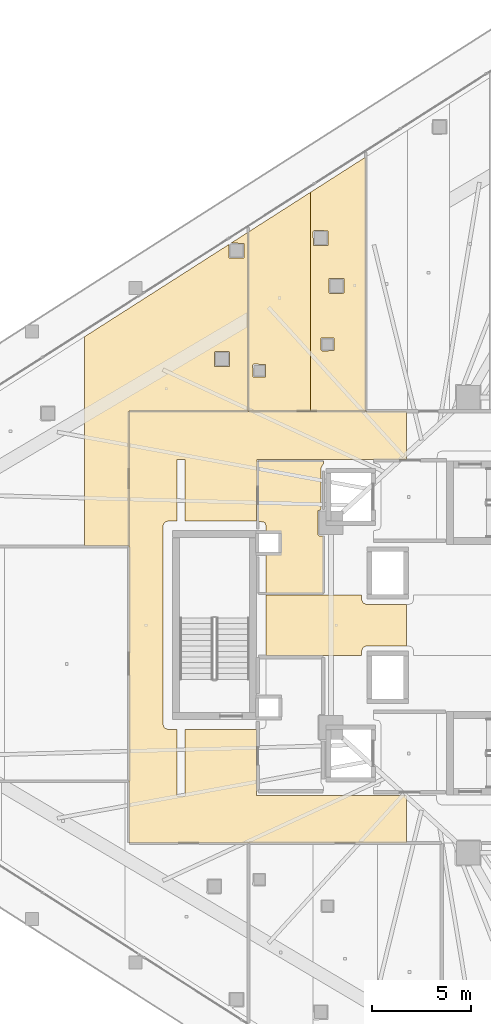
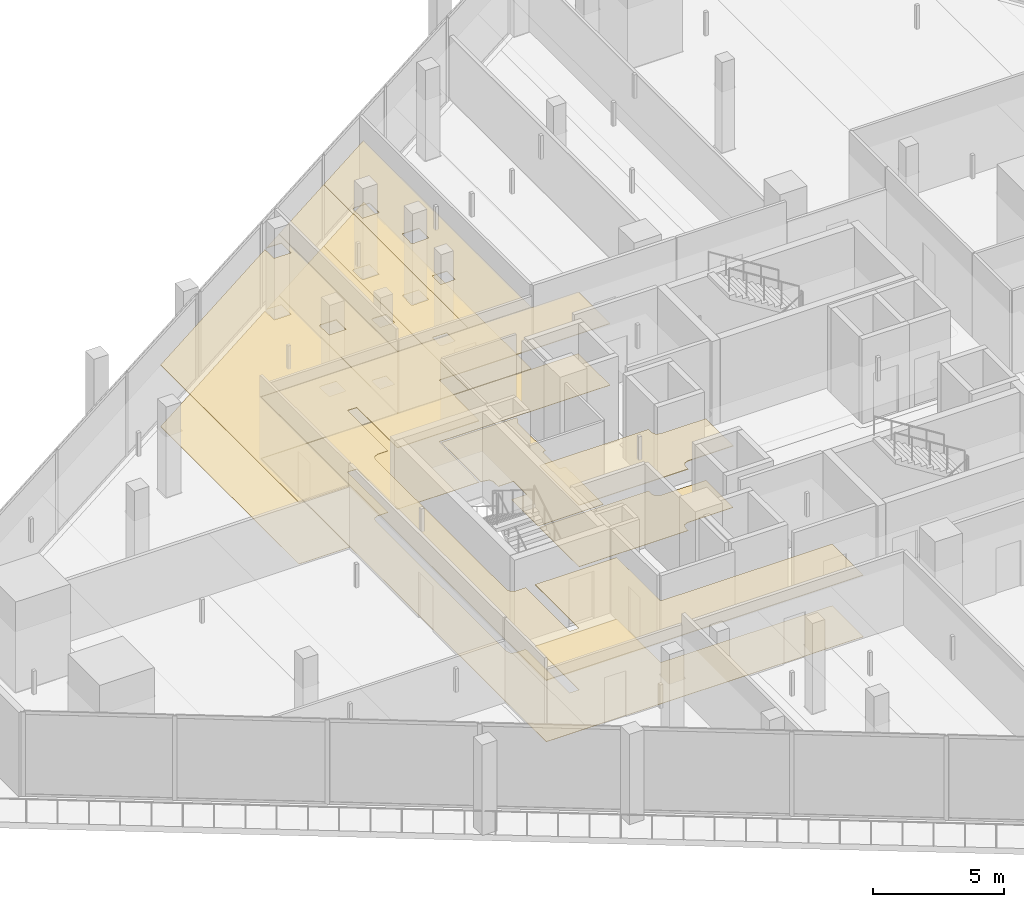
# One storey, part 41 of 44: 11 coverings.
"""IFC4 building model written with IfcOpenShell, lengths in metres."""

import ifcopenshell
import ifcopenshell.guid

model = None  # the IFC model being written
_history = None  # IfcOwnerHistory: only IFC2X3 demands one
_inside = {}  # id of a spatial element -> (the spatial element, [elements in it])
_under = {}  # id of a project, library or spatial element -> (it, [spatial elements below it])
_declared = {}  # id of a project -> (the project, [libraries it declares])
_typed = {}  # id of a type object -> (the type object, [elements of that type])
_made_of = {}  # id of a material, layer set ... -> (it, [elements and type objects made of it])


def new_model(schema):
    """Start an empty IFC model of exactly this schema.

    Asked for "IFC4X3", IfcOpenShell would pick the latest addendum, in which some entities
    have other attributes; the version numbers below select the first issue.
    IFC2X3 requires an IfcOwnerHistory on every rooted entity: one is made here for all.
    """
    global model, _history
    if schema == "IFC4X3":
        model = ifcopenshell.file(schema_version=(4, 3, 0, 0))
    else:
        model = ifcopenshell.file(schema=schema)
    _inside.clear()
    _under.clear()
    _declared.clear()
    _typed.clear()
    _made_of.clear()
    _history = None
    if model.schema == "IFC2X3":
        org = make("IfcOrganization", Name="unknown")
        user = make(
            "IfcPersonAndOrganization",
            ThePerson=make("IfcPerson", FamilyName="unknown"),
            TheOrganization=org,
        )
        app = make(
            "IfcApplication",
            ApplicationDeveloper=org,
            Version="unknown",
            ApplicationFullName="unknown",
            ApplicationIdentifier="unknown",
        )
        _history = make(
            "IfcOwnerHistory",
            OwningUser=user,
            OwningApplication=app,
            ChangeAction="ADDED",
            CreationDate=0,
        )
    return model


def make(cls, **values):
    """One entity of the class cls with the attributes given. An attribute that is None is left unset."""
    return model.create_entity(
        cls, **{name: value for name, value in values.items() if value is not None}
    )


def rooted(cls, **values):
    """An entity with a GlobalId (a new one), such as an element, a storey or a relation."""
    return make(cls, GlobalId=ifcopenshell.guid.new(), OwnerHistory=_history, **values)


def si_unit(unit_type, name, prefix=None):
    """IfcSIUnit, for example si_unit("LENGTHUNIT", "METRE", prefix="MILLI")."""
    return make("IfcSIUnit", UnitType=unit_type, Prefix=prefix, Name=name)


def assignment(units):
    """IfcUnitAssignment: the units of a project."""
    return None if units is None else make("IfcUnitAssignment", Units=units)


def point(xyz):
    """IfcCartesianPoint."""
    return None if xyz is None else make("IfcCartesianPoint", Coordinates=xyz)


def direction(xyz):
    """IfcDirection."""
    return None if xyz is None else make("IfcDirection", DirectionRatios=xyz)


def frame(location, z_axis=None, x_axis=None):
    """IfcAxis2Placement3D, a coordinate frame: its origin and axes. An axis left out is left unset."""
    return make(
        "IfcAxis2Placement3D",
        Location=point(location),
        Axis=direction(z_axis),
        RefDirection=direction(x_axis),
    )


def origin():
    """The frame at (0, 0, 0) with its axes left unset."""
    return frame((0.0, 0.0, 0.0))


def place(relative_to, where):
    """IfcLocalPlacement: puts the frame where relative to a parent placement (None: the world)."""
    return make(
        "IfcLocalPlacement", PlacementRelTo=relative_to, RelativePlacement=where
    )


def context(
    kind, dimensions, precision=None, world=None, true_north=None, identifier=None
):
    """IfcGeometricRepresentationContext, for example the 3D "Model" context."""
    return make(
        "IfcGeometricRepresentationContext",
        ContextIdentifier=identifier,
        ContextType=kind,
        CoordinateSpaceDimension=dimensions,
        Precision=precision,
        WorldCoordinateSystem=world,
        TrueNorth=true_north,
    )


def subcontext(parent, identifier, kind, view, scale=None):
    """IfcGeometricRepresentationSubContext, for example "Body" below "Model"."""
    return make(
        "IfcGeometricRepresentationSubContext",
        ContextIdentifier=identifier,
        ContextType=kind,
        ParentContext=parent,
        TargetScale=scale,
        TargetView=view,
    )


def project(units=None, contexts=None):
    """IfcProject with its units and contexts."""
    return rooted(
        "IfcProject",
        Name="project",
        RepresentationContexts=contexts,
        UnitsInContext=assignment(units),
    )


def spatial(cls, under=None, at=None, **own):
    """A site, building, storey or space (cls), placed at a placement, below another one or the project."""
    s = rooted(cls, ObjectPlacement=at, **own)
    if under is not None:
        _under.setdefault(under.id(), (under, []))[1].append(s)
    return s


def polyline(points):
    """IfcPolyline through the points."""
    return make("IfcPolyline", Points=[point(p) for p in points])


def outline(outer, holes=None, kind="AREA"):
    """IfcArbitraryClosedProfileDef: a profile drawn as a closed curve; with holes, ...WithVoids."""
    if holes is None:
        return make("IfcArbitraryClosedProfileDef", ProfileType=kind, OuterCurve=outer)
    return make(
        "IfcArbitraryProfileDefWithVoids",
        ProfileType=kind,
        OuterCurve=outer,
        InnerCurves=holes,
    )


def extrude(swept, where, along, depth):
    """IfcExtrudedAreaSolid: the profile swept, set in the frame where, extruded along a direction by depth."""
    return make(
        "IfcExtrudedAreaSolid",
        SweptArea=swept,
        Position=where,
        ExtrudedDirection=direction(along),
        Depth=depth,
    )


def shape(context_of_items, identifier, shape_type, items):
    """IfcShapeRepresentation: the items that make up one representation, for example the "Body"."""
    return make(
        "IfcShapeRepresentation",
        ContextOfItems=context_of_items,
        RepresentationIdentifier=identifier,
        RepresentationType=shape_type,
        Items=items,
    )


def material(Name=None, Category=None):
    """IfcMaterial."""
    return make("IfcMaterial", Name=Name, Category=Category)


def layer(
    of_material, thickness, ventilated=None, Name=None, Category=None, Priority=None
):
    """IfcMaterialLayer: one layer of a wall or slab, of a material (None: an air gap)."""
    return make(
        "IfcMaterialLayer",
        Material=of_material,
        LayerThickness=thickness,
        IsVentilated=ventilated,
        Name=Name,
        Category=Category,
        Priority=Priority,
    )


def layer_set(layers, Name=None):
    """IfcMaterialLayerSet."""
    return make("IfcMaterialLayerSet", MaterialLayers=layers, LayerSetName=Name)


def made_of(thing, what):
    """Note that an element or type object is made of a material, layer set ...; save() writes the relation."""
    if what is not None:
        _made_of.setdefault(what.id(), (what, []))[1].append(thing)
    return thing


def type_object(cls, material=None, **own):
    """A type object (cls), such as IfcWallType, which elements share."""
    return made_of(rooted(cls, **own), material)


def element(
    cls,
    number,
    at=None,
    inside=None,
    cuts=None,
    type_object=None,
    material=None,
    context=None,
    identifier="Body",
    shape_type=None,
    held_by="IfcProductDefinitionShape",
    body=None,
    shapes=None,
    **own,
):
    """One element of the class cls, such as IfcWall. Its Tag is "e" and its number.

    at: its placement. inside: the storey or other place that contains it. cuts: it is an
    opening in that element (IfcRelVoidsElement). A single representation is given by context,
    identifier, shape_type and body (its items); several are given by shapes. held_by: the class
    of the entity that holds the representations. save() writes the other relations.
    """
    e = rooted(cls, Tag="e%d" % number, ObjectPlacement=at, **own)
    if body is not None:
        shapes = [shape(context, identifier, shape_type, body)]
    if shapes is not None:
        e.Representation = make(held_by, Representations=shapes)
    if inside is not None:
        _inside.setdefault(inside.id(), (inside, []))[1].append(e)
    if cuts is not None:
        rooted(
            "IfcRelVoidsElement", RelatingBuildingElement=cuts, RelatedOpeningElement=e
        )
    if type_object is not None:
        _typed.setdefault(type_object.id(), (type_object, []))[1].append(e)
    return made_of(e, material)


def aggregate(whole, parts):
    """IfcRelAggregates: a whole, such as a stair, and the parts it consists of."""
    return rooted("IfcRelAggregates", RelatingObject=whole, RelatedObjects=parts)


def save(model, path):
    """Write the relations noted so far, then the file.

    IfcRelAggregates (storeys below a building ...), IfcRelContainedInSpatialStructure (elements
    in a storey), IfcRelDefinesByType, IfcRelAssociatesMaterial and IfcRelDeclares: one each for
    every whole, place, type object, material and project.
    """
    for whole, parts in _under.values():
        aggregate(whole, parts)
    for where, things in _inside.values():
        rooted(
            "IfcRelContainedInSpatialStructure",
            RelatedElements=things,
            RelatingStructure=where,
        )
    for kind, things in _typed.values():
        rooted("IfcRelDefinesByType", RelatedObjects=things, RelatingType=kind)
    for what, things in _made_of.values():
        rooted("IfcRelAssociatesMaterial", RelatedObjects=things, RelatingMaterial=what)
    for by, libraries in _declared.values():
        rooted("IfcRelDeclares", RelatingContext=by, RelatedDefinitions=libraries)
    model.write(path)


model = new_model("IFC4")

# Units and contexts
model_context = context("Model", 3, precision=1e-05, world=origin(), true_north=direction((0.0, 1.0)))
body_context = subcontext(model_context, "Body", "Model", "MODEL_VIEW")
ifc_project = project(units=[si_unit("LENGTHUNIT", "METRE"), si_unit("AREAUNIT", "SQUARE_METRE"), si_unit("VOLUMEUNIT", "CUBIC_METRE"), si_unit("PLANEANGLEUNIT", "RADIAN"), si_unit("MASSUNIT", "GRAM", prefix="KILO")], contexts=[model_context])

# Site, building, storey
site_placement = place(None, origin())
site = spatial("IfcSite", under=ifc_project, at=site_placement, CompositionType="ELEMENT")
building_placement = place(site_placement, origin())
building = spatial("IfcBuilding", under=site, at=building_placement, Name="Qorvath Tower", CompositionType="ELEMENT")
storey_placement = place(building_placement, frame((0.0, 0.0, 70.199951171875)))
storey = spatial("IfcBuildingStorey", under=building, at=storey_placement, Name="L15", CompositionType="ELEMENT", Elevation=70.199951171875)

# Coverings
ifc_material_1 = material(Name="Acoustic mineral fibre ceiling tile", Category="gypsum")
ifc_layer_1 = layer(ifc_material_1, 0.030029296875)
ifc_layer_set_1 = layer_set([ifc_layer_1], Name="COV-CEIL")
covering_type_1 = type_object("IfcCoveringType", Name="COV-CEIL", PredefinedType="CEILING", material=ifc_layer_set_1)
covering_1_placement = place(storey_placement, frame((0.0, 0.0, 2.85009765625)))
element("IfcCovering", 1, at=covering_1_placement, inside=storey, type_object=covering_type_1, Name="L15 Suspended Acoustic Ceiling 005", PredefinedType="CEILING", context=body_context, shape_type="SweptSolid", body=[
    extrude(outline(polyline([(-26.71240234375, -10.945068359375), (-26.71240234375, -8.564208984375), (-34.25, -8.56494140625), (-34.2548828125, -5.239990234375), (-37.844970703125, -5.239990234375), (-37.844970703125, -8.580078125), (-38.2548828125, -8.580078125), (-38.2548828125, -5.239990234375), (-38.699951171875, -5.239990234375), (-38.876708984375, -5.166748046875), (-38.949951171875, -4.989990234375), (-38.949951171875, 4.989990234375), (-38.876708984375, 5.166748046875), (-38.699951171875, 5.239990234375), (-38.2548828125, 5.239990234375), (-38.25341796875, 8.323486328125), (-37.844970703125, 8.320068359375), (-37.844970703125, 5.239990234375), (-34.2509765625, 5.239990234375), (-34.219970703125, 8.324951171875), (-26.71240234375, 8.324951171875), (-26.71240234375, 10.7451171875), (-40.64501953125, 10.7451171875), (-40.64501953125, -10.945068359375), (-26.71240234375, -10.945068359375)])), origin(), (0.0, 0.0, 1.0), 0.030029296875),
])
covering_2_placement = place(storey_placement, frame((0.0, 0.0, 2.85009765625)))
element("IfcCovering", 2, at=covering_2_placement, inside=storey, type_object=covering_type_1, Name="L15 Suspended Acoustic Ceiling 006", PredefinedType="CEILING", context=body_context, shape_type="SweptSolid", body=[
    extrude(outline(polyline([(-26.71240234375, -1.0400390625), (-26.71240234375, 1.0400390625), (-28.7099609375, 1.0400390625), (-28.88671875, 1.11328125), (-28.9599609375, 1.2900390625), (-28.9599609375, 1.514892578125), (-33.760009765625, 1.514892578125), (-33.760009765625, -1.514892578125), (-28.9599609375, -1.514892578125), (-28.9599609375, -1.2900390625), (-28.88671875, -1.11328125), (-28.7099609375, -1.0400390625), (-26.71240234375, -1.0400390625)])), origin(), (0.0, 0.0, 1.0), 0.030029296875),
])
covering_3_placement = place(storey_placement, frame((0.0, 0.0, 2.85009765625)))
element("IfcCovering", 3, at=covering_3_placement, inside=storey, type_object=covering_type_1, Name="L15 Suspended Acoustic Ceiling 008", PredefinedType="CEILING", context=body_context, shape_type="SweptSolid", body=[
    extrude(outline(polyline([(-31.54052734375, 10.762939453125), (-31.54052734375, 21.760009765625), (-34.64501953125, 19.77587890625), (-34.64501953125, 10.762939453125), (-31.54052734375, 10.762939453125)]), holes=[polyline([(-34.439208984375, 13.0673828125), (-34.379150390625, 13.12744140625), (-33.786865234375, 13.10986328125), (-33.786865234375, 12.47509765625), (-34.421630859375, 12.47509765625), (-34.439208984375, 13.0673828125)])]), origin(), (0.0, 0.0, 1.0), 0.030029296875),
])
covering_4_placement = place(storey_placement, frame((0.0, 0.0, 2.85009765625)))
element("IfcCovering", 4, at=covering_4_placement, inside=storey, type_object=covering_type_1, Name="L15 Suspended Acoustic Ceiling 009", PredefinedType="CEILING", context=body_context, shape_type="SweptSolid", body=[
    extrude(outline(polyline([(-28.7646484375, 10.762939453125), (-28.7646484375, 23.5341796875), (-31.54052734375, 21.760009765625), (-31.54052734375, 10.762939453125), (-28.7646484375, 10.762939453125)]), holes=[polyline([(-30.60986328125, 16.734619140625), (-30.59228515625, 17.427001953125), (-29.857421875, 17.427001953125), (-29.857421875, 16.692138671875), (-30.5498046875, 16.674560546875), (-30.60986328125, 16.734619140625)]), polyline([(-31.01220703125, 13.849365234375), (-30.99462890625, 14.441650390625), (-30.35986328125, 14.441650390625), (-30.35986328125, 13.806884765625), (-30.9521484375, 13.789306640625), (-31.01220703125, 13.849365234375)]), polyline([(-31.401123046875, 19.785400390625), (-31.341064453125, 19.845458984375), (-30.648681640625, 19.827880859375), (-30.648681640625, 19.093017578125), (-31.383544921875, 19.093017578125), (-31.401123046875, 19.785400390625)])]), origin(), (0.0, 0.0, 1.0), 0.030029296875),
])
covering_5_placement = place(storey_placement, frame((0.0, 0.0, 2.85009765625)))
element("IfcCovering", 5, at=covering_5_placement, inside=storey, type_object=covering_type_1, Name="L15 Suspended Acoustic Ceiling 042", PredefinedType="CEILING", context=body_context, shape_type="SweptSolid", body=[
    extrude(outline(polyline([(-34.6630859375, 10.762939453125), (-34.6630859375, 19.764404296875), (-35.5234375, 19.21435546875), (-34.88427734375, 19.19677734375), (-34.88427734375, 18.4619140625), (-35.619140625, 18.4619140625), (-35.63671875, 19.141845703125), (-42.900634765625, 14.499267578125), (-42.900634765625, 3.969482421875), (-40.6630859375, 3.969482421875), (-40.66162109375, 10.761474609375), (-34.6630859375, 10.762939453125)]), holes=[polyline([(-36.36572265625, 13.705810546875), (-36.3056640625, 13.765869140625), (-35.61328125, 13.748291015625), (-35.61328125, 13.013427734375), (-36.34814453125, 13.013427734375), (-36.36572265625, 13.705810546875)])]), origin(), (0.0, 0.0, 1.0), 0.030029296875),
])
ifc_material_2 = material(Name="Low-VOC modular carpet tile", Category="textile")
ifc_layer_2 = layer(ifc_material_2, 0.014892578125)
ifc_layer_set_2 = layer_set([ifc_layer_2], Name="COV-FLOOR-CPT")
covering_type_2 = type_object("IfcCoveringType", Name="COV-FLOOR-CPT", PredefinedType="FLOORING", material=ifc_layer_set_2)
covering_6_placement = place(storey_placement, origin())
element("IfcCovering", 6, at=covering_6_placement, inside=storey, type_object=covering_type_2, Name="L15 Floor Finish 008", PredefinedType="FLOORING", context=body_context, shape_type="SweptSolid", body=[
    extrude(outline(polyline([(-31.54052734375, 10.762939453125), (-31.54052734375, 21.760009765625), (-34.64501953125, 19.77587890625), (-34.64501953125, 10.762939453125), (-31.54052734375, 10.762939453125)]), holes=[polyline([(-34.439208984375, 13.0673828125), (-34.379150390625, 13.12744140625), (-33.786865234375, 13.10986328125), (-33.786865234375, 12.47509765625), (-34.421630859375, 12.47509765625), (-34.439208984375, 13.0673828125)])]), origin(), (0.0, 0.0, 1.0), 0.01513671875),
])
covering_7_placement = place(storey_placement, origin())
element("IfcCovering", 7, at=covering_7_placement, inside=storey, type_object=covering_type_2, Name="L15 Floor Finish 009", PredefinedType="FLOORING", context=body_context, shape_type="SweptSolid", body=[
    extrude(outline(polyline([(-28.7646484375, 10.762939453125), (-28.7646484375, 23.5341796875), (-31.54052734375, 21.760009765625), (-31.54052734375, 10.762939453125), (-28.7646484375, 10.762939453125)]), holes=[polyline([(-30.60986328125, 16.734619140625), (-30.59228515625, 17.427001953125), (-29.857421875, 17.427001953125), (-29.857421875, 16.692138671875), (-30.5498046875, 16.674560546875), (-30.60986328125, 16.734619140625)]), polyline([(-31.01220703125, 13.849365234375), (-30.99462890625, 14.441650390625), (-30.35986328125, 14.441650390625), (-30.35986328125, 13.806884765625), (-30.9521484375, 13.789306640625), (-31.01220703125, 13.849365234375)]), polyline([(-31.401123046875, 19.785400390625), (-31.341064453125, 19.845458984375), (-30.648681640625, 19.827880859375), (-30.648681640625, 19.093017578125), (-31.383544921875, 19.093017578125), (-31.401123046875, 19.785400390625)])]), origin(), (0.0, 0.0, 1.0), 0.01513671875),
])
covering_8_placement = place(storey_placement, origin())
element("IfcCovering", 8, at=covering_8_placement, inside=storey, type_object=covering_type_2, Name="L15 Floor Finish 042", PredefinedType="FLOORING", context=body_context, shape_type="SweptSolid", body=[
    extrude(outline(polyline([(-34.6630859375, 10.762939453125), (-34.6630859375, 19.764404296875), (-35.5234375, 19.21435546875), (-34.88427734375, 19.19677734375), (-34.88427734375, 18.4619140625), (-35.619140625, 18.4619140625), (-35.63671875, 19.141845703125), (-42.900634765625, 14.499267578125), (-42.900634765625, 3.969482421875), (-40.6630859375, 3.969482421875), (-40.66162109375, 10.761474609375), (-34.6630859375, 10.762939453125)]), holes=[polyline([(-36.36572265625, 13.705810546875), (-36.3056640625, 13.765869140625), (-35.61328125, 13.748291015625), (-35.61328125, 13.013427734375), (-36.34814453125, 13.013427734375), (-36.36572265625, 13.705810546875)])]), origin(), (0.0, 0.0, 1.0), 0.01513671875),
])
ifc_material_3 = material(Name="Polished epoxy terrazzo flooring", Category="concrete")
ifc_layer_3 = layer(ifc_material_3, 0.02001953125)
ifc_layer_set_3 = layer_set([ifc_layer_3], Name="COV-FLOOR-TRZ")
covering_type_3 = type_object("IfcCoveringType", Name="COV-FLOOR-TRZ", PredefinedType="FLOORING", material=ifc_layer_set_3)
covering_9_placement = place(storey_placement, origin())
element("IfcCovering", 9, at=covering_9_placement, inside=storey, type_object=covering_type_3, Name="L15 Floor Finish 003", PredefinedType="FLOORING", context=body_context, shape_type="SweptSolid", body=[
    extrude(outline(polyline([(-30.885009765625, 8.2451171875), (-34.175048828125, 8.2451171875), (-34.175048828125, 5.239990234375), (-33.833251953125, 5.166748046875), (-33.760009765625, 4.989990234375), (-33.760009765625, 4.633056640625), (-33.0869140625, 4.6279296875), (-33.08837890625, 3.638427734375), (-33.760009765625, 3.636962890625), (-33.760009765625, 1.60498046875), (-30.885009765625, 1.60498046875), (-30.885009765625, 4.489990234375), (-31.10009765625, 4.489990234375), (-31.159912109375, 4.550048828125), (-31.159912109375, 5.75), (-31.010009765625, 5.81005859375), (-31.010009765625, 7.909912109375), (-30.885009765625, 8.108154296875), (-30.885009765625, 8.2451171875)])), origin(), (0.0, 0.0, 1.0), 0.01513671875),
])
covering_10_placement = place(storey_placement, origin())
element("IfcCovering", 10, at=covering_10_placement, inside=storey, type_object=covering_type_3, Name="L15 Floor Finish 005", PredefinedType="FLOORING", context=body_context, shape_type="SweptSolid", body=[
    extrude(outline(polyline([(-26.71240234375, -10.945068359375), (-26.71240234375, -8.564208984375), (-34.25, -8.56494140625), (-34.2548828125, -5.239990234375), (-37.844970703125, -5.239990234375), (-37.844970703125, -8.580078125), (-38.2548828125, -8.580078125), (-38.2548828125, -5.239990234375), (-38.699951171875, -5.239990234375), (-38.876708984375, -5.166748046875), (-38.949951171875, -4.989990234375), (-38.949951171875, 4.989990234375), (-38.876708984375, 5.166748046875), (-38.699951171875, 5.239990234375), (-38.2548828125, 5.239990234375), (-38.25341796875, 8.323486328125), (-37.844970703125, 8.320068359375), (-37.844970703125, 5.239990234375), (-34.2509765625, 5.239990234375), (-34.219970703125, 8.324951171875), (-26.71240234375, 8.324951171875), (-26.71240234375, 10.7451171875), (-40.64501953125, 10.7451171875), (-40.64501953125, -10.945068359375), (-26.71240234375, -10.945068359375)])), origin(), (0.0, 0.0, 1.0), 0.01513671875),
])
covering_11_placement = place(storey_placement, origin())
element("IfcCovering", 11, at=covering_11_placement, inside=storey, type_object=covering_type_3, Name="L15 Floor Finish 006", PredefinedType="FLOORING", context=body_context, shape_type="SweptSolid", body=[
    extrude(outline(polyline([(-26.71240234375, -1.0400390625), (-26.71240234375, 1.0400390625), (-28.7099609375, 1.0400390625), (-28.88671875, 1.11328125), (-28.9599609375, 1.2900390625), (-28.9599609375, 1.514892578125), (-33.760009765625, 1.514892578125), (-33.760009765625, -1.514892578125), (-28.9599609375, -1.514892578125), (-28.9599609375, -1.2900390625), (-28.88671875, -1.11328125), (-28.7099609375, -1.0400390625), (-26.71240234375, -1.0400390625)])), origin(), (0.0, 0.0, 1.0), 0.01513671875),
])

save(model, "model.ifc")
